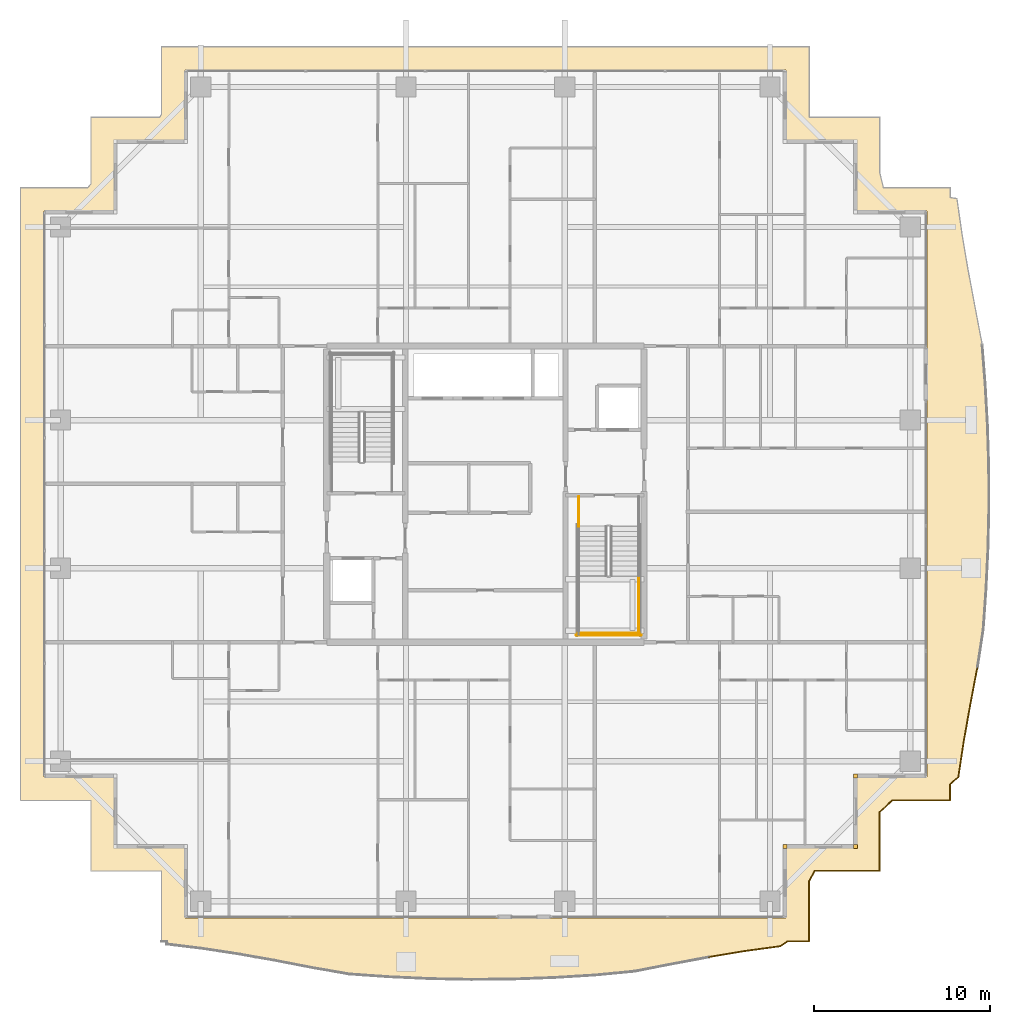
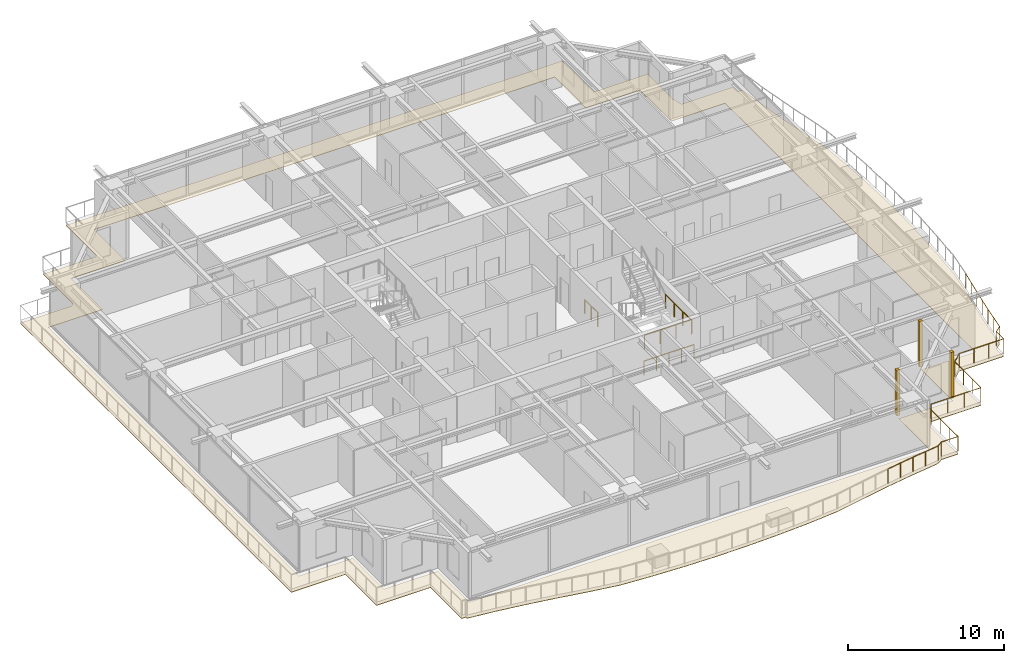
# One storey, part 36 of 38: 6 railings, 4 coverings.
"""IFC4 building model written with IfcOpenShell, lengths in metres."""

from ifc_helpers import new_model, si_unit, direction, frame, origin, origin_2d, place, context, subcontext, project, spatial, polyline, rectangle, circle, outline, extrude, source, transform, mapped, material, layer, layer_set, type_object, element, save


model = new_model("IFC4")

# Units and contexts
model_context = context("Model", 3, precision=1e-05, world=origin(), true_north=direction((0.0, 1.0)))
body_context = subcontext(model_context, "Body", "Model", "MODEL_VIEW")
ifc_project = project(units=[si_unit("LENGTHUNIT", "METRE"), si_unit("AREAUNIT", "SQUARE_METRE"), si_unit("VOLUMEUNIT", "CUBIC_METRE"), si_unit("PLANEANGLEUNIT", "RADIAN"), si_unit("MASSUNIT", "GRAM", prefix="KILO")], contexts=[model_context])

# Site, building, storey
site_placement = place(None, origin())
site = spatial("IfcSite", under=ifc_project, at=site_placement, CompositionType="ELEMENT")
building_placement = place(site_placement, origin())
building = spatial("IfcBuilding", under=site, at=building_placement, Name="Serunith Strait Residences", CompositionType="ELEMENT")
storey_placement = place(building_placement, frame((0.0, 0.0, 245.10009765625)))
storey = spatial("IfcBuildingStorey", under=building, at=storey_placement, Name="L61", CompositionType="ELEMENT", Elevation=245.10009765625)

# Covering
ifc_material_1 = material(Name="Golden Teak Exterior Timber Boarding", Category="wood")
ifc_layer_1 = layer(ifc_material_1, 0.034912109375, Name="Golden Teak Exterior Timber Boarding")
ifc_layer_set_1 = layer_set([ifc_layer_1], Name="Golden Teak Exterior Timber Boarding")
covering_type_1 = type_object("IfcCoveringType", Name="COV-TEAK-SOFFIT", PredefinedType="CEILING", material=ifc_layer_set_1)
covering_placement = place(storey_placement, frame((0.0, 0.0, -0.3251953125)))
element("IfcCovering", 1, at=covering_placement, inside=storey, type_object=covering_type_1, Name="L61 Golden-Teak Balcony Soffit Lining", PredefinedType="CEILING", context=body_context, shape_type="SweptSolid", body=[
    extrude(outline(polyline([(14.02001953125, -0.179931640625), (14.02001953125, 3.820068359375), (10.02001953125, 3.820068359375), (10.02001953125, 7.820068359375), (6.02001953125, 7.820068359375), (6.02001953125, 42.580078125), (9.824951171875, 42.580078125), (10.02001953125, 42.802001953125), (10.02001953125, 46.580078125), (13.9189453125, 46.580078125), (14.02001953125, 46.734619140625), (14.02001953125, 50.580078125), (50.780029296875, 50.580078125), (50.780029296875, 46.580078125), (54.780029296875, 46.580078125), (54.780029296875, 43.400390625), (54.9814453125, 42.580078125), (58.780029296875, 42.580078125), (58.780029296875, 42.027099609375), (59.15234375, 41.96484375), (59.443359375, 39.938720703125), (59.789794921875, 37.890625), (60.180908203125, 35.802978515625), (60.59130859375, 33.657470703125), (60.7666015625, 31.393310546875), (60.893798828125, 29.09423828125), (60.966064453125, 26.77099609375), (60.975830078125, 24.43798828125), (60.922119140625, 22.110107421875), (60.810791015625, 19.802001953125), (60.65234375, 17.52490234375), (60.31591796875, 15.33642578125), (59.914794921875, 13.231201171875), (59.551513671875, 11.171630859375), (59.241943359375, 9.1396484375), (58.780029296875, 8.75048828125), (58.780029296875, 7.820068359375), (55.484375, 7.820068359375), (54.780029296875, 7.163818359375), (54.780029296875, 3.820068359375), (51.093505859375, 3.820068359375), (50.780029296875, 3.254638671875), (50.780029296875, -0.179931640625), (49.54345703125, -0.179931640625), (49.14697265625, -0.455078125), (47.122314453125, -0.733154296875), (45.0791015625, -1.070556640625), (42.9990234375, -1.459716796875), (40.861572265625, -1.876708984375), (38.607421875, -2.09423828125), (36.305419921875, -2.233642578125), (33.9765625, -2.319091796875), (31.635009765625, -2.341552734375), (29.296875, -2.298095703125), (26.978515625, -2.193115234375), (24.6923828125, -2.03662109375), (22.51416015625, -1.659912109375), (20.413818359375, -1.252197265625), (18.35986328125, -0.8876953125), (16.331787109375, -0.58056640625), (14.314208984375, -0.332763671875), (14.315673828125, -0.179931640625), (14.02001953125, -0.179931640625)]), holes=[polyline([(49.455078125, 1.14501953125), (49.455078125, 5.14501953125), (53.455078125, 5.14501953125), (53.455078125, 9.14501953125), (57.455078125, 9.14501953125), (57.455078125, 41.2548828125), (53.455078125, 41.2548828125), (53.455078125, 45.2548828125), (49.455078125, 45.2548828125), (49.455078125, 49.2548828125), (15.344970703125, 49.2548828125), (15.344970703125, 45.2548828125), (11.344970703125, 45.2548828125), (11.344970703125, 41.2548828125), (7.344970703125, 41.2548828125), (7.344970703125, 9.14501953125), (11.344970703125, 9.14501953125), (11.344970703125, 5.14501953125), (15.344970703125, 5.14501953125), (15.344970703125, 1.14501953125), (49.455078125, 1.14501953125)])]), origin(), (0.0, 0.0, 1.0), 0.03515625),
])

# Railings
ifc_material_2 = material(Name="Stainless Steel & Laminated Glass Balustrade", Category="steel")
railing_type_1 = type_object("IfcRailingType", Name="RLG-BALC-1150", PredefinedType="BALUSTRADE", material=ifc_material_2)
railing_1_placement = place(storey_placement, frame((60.31591796875, 15.33642578125, -0.050048828125)))
element("IfcRailing", 2, at=railing_1_placement, inside=storey, type_object=railing_type_1, Name="L61 Swirling Balcony Perimeter Balustrade 5", PredefinedType="BALUSTRADE", context=body_context, shape_type="SweptSolid", body=[
    extrude(circle(Radius=0.02392578125, at=origin_2d()), frame((-0.00048828125, -0.001953125, 1.1259765625), z_axis=(-0.187169690496, -0.982327596558, 0.0), x_axis=(0.982327596558, -0.187169690496, 0.0)), (0.0, 0.0, 1.0), 2.13916015625),
    extrude(circle(Radius=0.02392578125, at=origin_2d()), frame((-0.4013671875, -2.107177734375, 1.1259765625), z_axis=(-0.173705419066, -0.984797658094, 0.0), x_axis=(0.984797658094, -0.173705419066, 0.0)), (0.0, 0.0, 1.0), 2.08740234375),
    extrude(circle(Radius=0.02392578125, at=origin_2d()), frame((-0.7646484375, -4.166748046875, 1.1259765625), z_axis=(-0.150611082639, -0.988593092119, 0.0), x_axis=(0.988593092119, -0.150611082639, 0.0)), (0.0, 0.0, 1.0), 2.051513671875),
    extrude(circle(Radius=0.02392578125, at=origin_2d()), frame((-1.075439453125, -6.197998046875, 1.1259765625), z_axis=(-0.764764431209, -0.644309991198, 0.0), x_axis=(0.644309991198, -0.764764431209, 0.0)), (0.0, 0.0, 1.0), 0.60009765625),
    extrude(circle(Radius=0.02392578125, at=origin_2d()), frame((-1.535888671875, -6.587890625, 1.1259765625), z_axis=(0.0, -1.0, 0.0), x_axis=(1.0, 0.0, 0.0)), (0.0, 0.0, 1.0), 0.926513671875),
    extrude(circle(Radius=0.02392578125, at=origin_2d()), frame((-1.537841796875, -7.516357421875, 1.1259765625), z_axis=(-1.0, 0.0, 0.0), x_axis=(0.0, -1.0, 0.0)), (0.0, 0.0, 1.0), 3.291748046875),
    extrude(circle(Radius=0.02392578125, at=origin_2d()), frame((-4.8330078125, -7.517822265625, 1.1259765625), z_axis=(-0.731645329944, -0.681685492856, 0.0), x_axis=(0.681685492856, -0.731645329944, 0.0)), (0.0, 0.0, 1.0), 0.958740234375),
    extrude(circle(Radius=0.02392578125, at=origin_2d()), frame((-5.535888671875, -8.174560546875, 1.1259765625), z_axis=(0.0, -1.0, 0.0), x_axis=(1.0, 0.0, 0.0)), (0.0, 0.0, 1.0), 3.33984375),
    extrude(circle(Radius=0.02099609375, at=origin_2d()), origin(), (0.0, 0.0, 1.0), 1.099853515625),
    extrude(circle(Radius=0.02099609375, at=origin_2d()), frame((-0.20068359375, -1.052734375, 0.0)), (0.0, 0.0, 1.0), 1.099853515625),
    extrude(circle(Radius=0.02099609375, at=origin_2d()), frame((-0.401123046875, -2.105224609375, 0.0)), (0.0, 0.0, 1.0), 1.099853515625),
    extrude(circle(Radius=0.02099609375, at=origin_2d()), frame((-0.582763671875, -3.135009765625, 0.0)), (0.0, 0.0, 1.0), 1.099853515625),
    extrude(circle(Radius=0.02099609375, at=origin_2d()), frame((-0.764404296875, -4.164794921875, 0.0)), (0.0, 0.0, 1.0), 1.099853515625),
    extrude(circle(Radius=0.02099609375, at=origin_2d()), frame((-0.919189453125, -5.1806640625, 0.0)), (0.0, 0.0, 1.0), 1.099853515625),
    extrude(circle(Radius=0.02099609375, at=origin_2d()), frame((-1.073974609375, -6.19677734375, 0.0)), (0.0, 0.0, 1.0), 1.099853515625),
    extrude(circle(Radius=0.02099609375, at=origin_2d()), frame((-1.535888671875, -6.5859375, 0.0)), (0.0, 0.0, 1.0), 1.099853515625),
    extrude(circle(Radius=0.02099609375, at=origin_2d()), frame((-1.535888671875, -7.516357421875, 0.0)), (0.0, 0.0, 1.0), 1.099853515625),
    extrude(circle(Radius=0.02099609375, at=origin_2d()), frame((-2.634521484375, -7.516357421875, 0.0)), (0.0, 0.0, 1.0), 1.099853515625),
    extrude(circle(Radius=0.02099609375, at=origin_2d()), frame((-3.73291015625, -7.516357421875, 0.0)), (0.0, 0.0, 1.0), 1.099853515625),
    extrude(circle(Radius=0.02099609375, at=origin_2d()), frame((-4.83154296875, -7.516357421875, 0.0)), (0.0, 0.0, 1.0), 1.099853515625),
    extrude(circle(Radius=0.02099609375, at=origin_2d()), frame((-5.535888671875, -8.172607421875, 0.0)), (0.0, 0.0, 1.0), 1.099853515625),
    extrude(circle(Radius=0.02099609375, at=origin_2d()), frame((-5.535888671875, -9.287109375, 0.0)), (0.0, 0.0, 1.0), 1.099853515625),
    extrude(circle(Radius=0.02099609375, at=origin_2d()), frame((-5.535888671875, -10.40185546875, 0.0)), (0.0, 0.0, 1.0), 1.099853515625),
    extrude(circle(Radius=0.02099609375, at=origin_2d()), frame((-5.535888671875, -11.516357421875, 0.0)), (0.0, 0.0, 1.0), 1.099853515625),
])
railing_2_placement = place(storey_placement, frame((54.780029296875, 3.820068359375, -0.050048828125)))
element("IfcRailing", 3, at=railing_2_placement, inside=storey, type_object=railing_type_1, Name="L61 Swirling Balcony Perimeter Balustrade 6", PredefinedType="BALUSTRADE", context=body_context, shape_type="SweptSolid", body=[
    extrude(circle(Radius=0.02392578125, at=origin_2d()), frame((-0.001953125, 0.0, 1.1259765625), z_axis=(-1.0, 0.0, 0.0), x_axis=(0.0, -1.0, 0.0)), (0.0, 0.0, 1.0), 3.6826171875),
    extrude(circle(Radius=0.02392578125, at=origin_2d()), frame((-3.6875, -0.001708984375, 1.1259765625), z_axis=(-0.484873238671, -0.874584439846, 0.0), x_axis=(0.874584439846, -0.484873238671, 0.0)), (0.0, 0.0, 1.0), 0.642578125),
    extrude(circle(Radius=0.02392578125, at=origin_2d()), frame((-4.0, -0.5673828125, 1.1259765625), z_axis=(0.0, -1.0, 0.0), x_axis=(1.0, 0.0, 0.0)), (0.0, 0.0, 1.0), 3.4306640625),
    extrude(circle(Radius=0.02392578125, at=origin_2d()), frame((-4.001953125, -4.0, 1.1259765625), z_axis=(-1.0, 0.0, 0.0), x_axis=(0.0, -1.0, 0.0)), (0.0, 0.0, 1.0), 1.232666015625),
    extrude(circle(Radius=0.02392578125, at=origin_2d()), frame((-5.23828125, -4.001220703125, 1.1259765625), z_axis=(-0.82155426334, -0.5701303293, 0.0), x_axis=(0.5701303293, -0.82155426334, 0.0)), (0.0, 0.0, 1.0), 0.478515625),
    extrude(circle(Radius=0.02392578125, at=origin_2d()), frame((-5.635009765625, -4.275390625, 1.1259765625), z_axis=(-0.990699584458, -0.136067385349, 0.0), x_axis=(0.136067385349, -0.990699584458, 0.0)), (0.0, 0.0, 1.0), 2.03955078125),
    extrude(circle(Radius=0.02392578125, at=origin_2d()), frame((-7.65966796875, -4.553466796875, 1.1259765625), z_axis=(-0.986638168226, -0.16292674734, 0.0), x_axis=(0.16292674734, -0.986638168226, 0.0)), (0.0, 0.0, 1.0), 2.06689453125),
    extrude(circle(Radius=0.02099609375, at=origin_2d()), origin(), (0.0, 0.0, 1.0), 1.099853515625),
    extrude(circle(Radius=0.02099609375, at=origin_2d()), frame((-1.228759765625, 0.0, 0.0)), (0.0, 0.0, 1.0), 1.099853515625),
    extrude(circle(Radius=0.02099609375, at=origin_2d()), frame((-2.457763671875, 0.0, 0.0)), (0.0, 0.0, 1.0), 1.099853515625),
    extrude(circle(Radius=0.02099609375, at=origin_2d()), frame((-3.6865234375, 0.0, 0.0)), (0.0, 0.0, 1.0), 1.099853515625),
    extrude(circle(Radius=0.02099609375, at=origin_2d()), frame((-4.0, -0.5654296875, 0.0)), (0.0, 0.0, 1.0), 1.099853515625),
    extrude(circle(Radius=0.02099609375, at=origin_2d()), frame((-4.0, -1.710205078125, 0.0)), (0.0, 0.0, 1.0), 1.099853515625),
    extrude(circle(Radius=0.02099609375, at=origin_2d()), frame((-4.0, -2.855224609375, 0.0)), (0.0, 0.0, 1.0), 1.099853515625),
    extrude(circle(Radius=0.02099609375, at=origin_2d()), frame((-4.0, -4.0, 0.0)), (0.0, 0.0, 1.0), 1.099853515625),
    extrude(circle(Radius=0.02099609375, at=origin_2d()), frame((-5.236572265625, -4.0, 0.0)), (0.0, 0.0, 1.0), 1.099853515625),
    extrude(circle(Radius=0.02099609375, at=origin_2d()), frame((-5.633056640625, -4.275146484375, 0.0)), (0.0, 0.0, 1.0), 1.099853515625),
    extrude(circle(Radius=0.02099609375, at=origin_2d()), frame((-6.6455078125, -4.4140625, 0.0)), (0.0, 0.0, 1.0), 1.099853515625),
    extrude(circle(Radius=0.02099609375, at=origin_2d()), frame((-7.65771484375, -4.55322265625, 0.0)), (0.0, 0.0, 1.0), 1.099853515625),
    extrude(circle(Radius=0.02099609375, at=origin_2d()), frame((-8.67919921875, -4.721923828125, 0.0)), (0.0, 0.0, 1.0), 1.099853515625),
    extrude(circle(Radius=0.02099609375, at=origin_2d()), frame((-9.700927734375, -4.890625, 0.0)), (0.0, 0.0, 1.0), 1.099853515625),
])
ifc_material_3 = material(Name="Brushed stainless steel 316L", Category="steel")
railing_type_2 = type_object("IfcRailingType", Name="RLG-STAIR-GUARD", PredefinedType="BALUSTRADE", material=ifc_material_3)
railing_3_placement = place(storey_placement, frame((41.10009765625, 20.570068359375, 1.9248046875)))
element("IfcRailing", 4, at=railing_3_placement, inside=storey, type_object=railing_type_2, Name="L61 ST-2 stair guard 4", PredefinedType="BALUSTRADE", context=body_context, shape_type="SweptSolid", body=[
    extrude(circle(Radius=0.02392578125, at=origin_2d()), frame((0.0, -0.001953125, 1.076171875), z_axis=(0.0, -1.0, 0.0), x_axis=(1.0, 0.0, 0.0)), (0.0, 0.0, 1.0), 3.316162109375),
    extrude(circle(Radius=0.02099609375, at=origin_2d()), origin(), (0.0, 0.0, 1.0), 1.050048828125),
    extrude(circle(Radius=0.02099609375, at=origin_2d()), frame((0.0, -1.106689453125, 0.0)), (0.0, 0.0, 1.0), 1.050048828125),
    extrude(circle(Radius=0.02099609375, at=origin_2d()), frame((0.0, -2.21337890625, 0.0)), (0.0, 0.0, 1.0), 1.050048828125),
    extrude(circle(Radius=0.02099609375, at=origin_2d()), frame((0.0, -3.320068359375, 0.0)), (0.0, 0.0, 1.0), 1.050048828125),
])
railing_4_placement = place(storey_placement, frame((37.64990234375, 17.300048828125, 1.9248046875)))
element("IfcRailing", 5, at=railing_4_placement, inside=storey, type_object=railing_type_2, Name="L61 ST-2 stair guard 5", PredefinedType="BALUSTRADE", context=body_context, shape_type="SweptSolid", body=[
    extrude(circle(Radius=0.02392578125, at=origin_2d()), frame((0.001953125, 0.0, 1.076171875), z_axis=(1.0, 0.0, 0.0), x_axis=(0.0, 1.0, 0.0)), (0.0, 0.0, 1.0), 3.49609375),
    extrude(circle(Radius=0.02099609375, at=origin_2d()), origin(), (0.0, 0.0, 1.0), 1.050048828125),
    extrude(circle(Radius=0.02099609375, at=origin_2d()), frame((1.166748046875, 0.0, 0.0)), (0.0, 0.0, 1.0), 1.050048828125),
    extrude(circle(Radius=0.02099609375, at=origin_2d()), frame((2.333251953125, 0.0, 0.0)), (0.0, 0.0, 1.0), 1.050048828125),
    extrude(circle(Radius=0.02099609375, at=origin_2d()), frame((3.5, 0.0, 0.0)), (0.0, 0.0, 1.0), 1.050048828125),
])
railing_5_placement = place(storey_placement, frame((37.699951171875, 25.050048828125, 0.0)))
element("IfcRailing", 6, at=railing_5_placement, inside=storey, type_object=railing_type_2, Name="L61 ST-2 stair guard 8", PredefinedType="BALUSTRADE", context=body_context, shape_type="SweptSolid", body=[
    extrude(circle(Radius=0.02392578125, at=origin_2d()), frame((0.0, -0.001953125, 1.076171875), z_axis=(0.0, -1.0, 0.0), x_axis=(1.0, 0.0, 0.0)), (0.0, 0.0, 1.0), 1.676025390625),
    extrude(circle(Radius=0.02099609375, at=origin_2d()), origin(), (0.0, 0.0, 1.0), 1.050048828125),
    extrude(circle(Radius=0.02099609375, at=origin_2d()), frame((0.0, -0.83984375, 0.0)), (0.0, 0.0, 1.0), 1.050048828125),
    extrude(circle(Radius=0.02099609375, at=origin_2d()), frame((0.0, -1.679931640625, 0.0)), (0.0, 0.0, 1.0), 1.050048828125),
])
railing_6_placement = place(storey_placement, frame((37.550048828125, 17.199951171875, 0.0)))
element("IfcRailing", 7, at=railing_6_placement, inside=storey, type_object=railing_type_2, Name="L61 ST-2 stair guard 12", PredefinedType="BALUSTRADE", context=body_context, shape_type="SweptSolid", body=[
    extrude(circle(Radius=0.02392578125, at=origin_2d()), frame((0.001953125, 0.0, 1.076171875), z_axis=(1.0, 0.0, 0.0), x_axis=(0.0, 1.0, 0.0)), (0.0, 0.0, 1.0), 3.696044921875),
    extrude(circle(Radius=0.02099609375, at=origin_2d()), origin(), (0.0, 0.0, 1.0), 1.050048828125),
    extrude(circle(Radius=0.02099609375, at=origin_2d()), frame((0.925048828125, 0.0, 0.0)), (0.0, 0.0, 1.0), 1.050048828125),
    extrude(circle(Radius=0.02099609375, at=origin_2d()), frame((1.85009765625, 0.0, 0.0)), (0.0, 0.0, 1.0), 1.050048828125),
    extrude(circle(Radius=0.02099609375, at=origin_2d()), frame((2.77490234375, 0.0, 0.0)), (0.0, 0.0, 1.0), 1.050048828125),
    extrude(circle(Radius=0.02099609375, at=origin_2d()), frame((3.699951171875, 0.0, 0.0)), (0.0, 0.0, 1.0), 1.050048828125),
])

# Coverings
ifc_material_4 = material(Name="Pale-Champagne Anodised Aluminium", Category="aluminium")
ifc_layer_2 = layer(ifc_material_4, 0.219970703125, Name="Pale-Champagne Anodised Aluminium")
ifc_layer_set_2 = layer_set([ifc_layer_2], Name="Pale-Champagne Anodised Aluminium")
covering_type_2 = type_object("IfcCoveringType", Name="COV-CORN-TRIM", PredefinedType="CLADDING", material=ifc_layer_set_2)
shared_shape = source(origin(), body_context, "Body", "SweptSolid", [
    extrude(rectangle(XDim=0.221923828125, YDim=0.221923828125, at=origin_2d()), origin(), (0.0, 0.0, 1.0), 3.574951171875),
])
for number, where, z_axis, x_axis, name in (
    (8, (49.39990234375, 5.199951171875, 0.0), (0.0, 0.0, 1.0), (1.0, 0.0, 0.0), "L61 Girih Serrated Corner Trim Post 02"),
    (9, (53.39990234375, 5.199951171875, 0.0), (0.0, 0.0, 1.0), (1.0, 0.0, 0.0), "L61 Girih Serrated Corner Trim Post 03"),
    (10, (53.39990234375, 9.199951171875, 0.0), (0.0, 0.0, 1.0), (1.0, 0.0, 0.0), "L61 Girih Serrated Corner Trim Post 04"),
):
    element("IfcCovering", number, at=place(storey_placement, frame(where, z_axis=z_axis, x_axis=x_axis)), inside=storey, type_object=covering_type_2, Name=name, PredefinedType="CLADDING", context=body_context, shape_type="MappedRepresentation", body=[
        mapped(shared_shape, transform((0.0, 0.0, 0.0), scale=1.0)),
    ])

save(model, "model.ifc")
